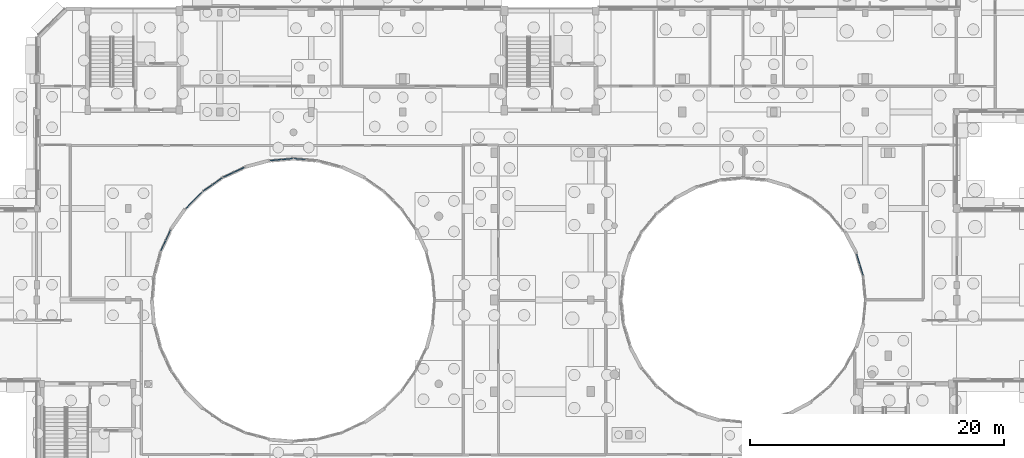
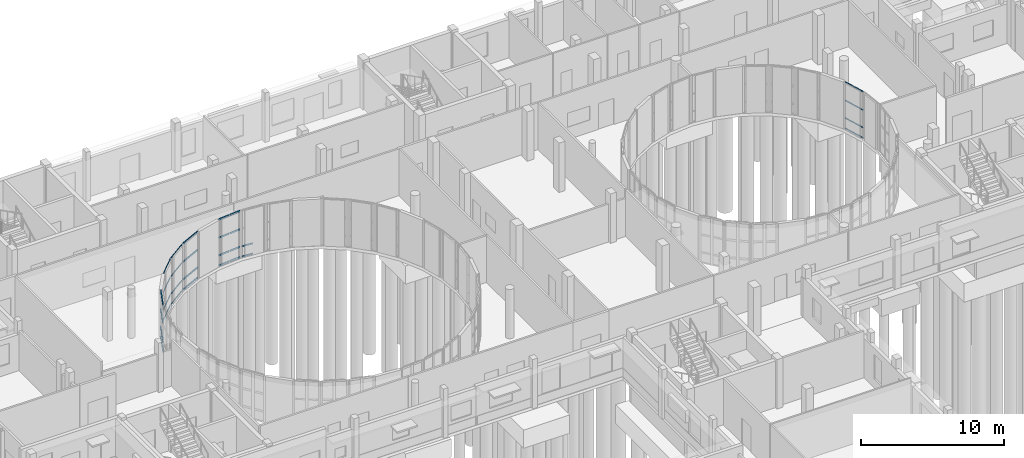
# One storey, part 44 of 93: 50 members, 7 elements without a shape of their own.
"""IFC4 building model written with IfcOpenShell, lengths in metres."""

from ifc_helpers import new_model, si_unit, direction, frame, origin, origin_2d, place, context, subcontext, project, spatial, hollow_rectangle, extrude, material, layer, layer_set, material_profile, profile_set, type_object, element, aggregate, save


model = new_model("IFC4")

# Units and contexts
model_context = context("Model", 3, precision=1e-05, world=origin(), true_north=direction((0.0, 1.0)))
body_context = subcontext(model_context, "Body", "Model", "MODEL_VIEW")
ifc_project = project(units=[si_unit("LENGTHUNIT", "METRE"), si_unit("AREAUNIT", "SQUARE_METRE"), si_unit("VOLUMEUNIT", "CUBIC_METRE"), si_unit("PLANEANGLEUNIT", "RADIAN"), si_unit("MASSUNIT", "GRAM", prefix="KILO")], contexts=[model_context])

# Site, building, storey
site_placement = place(None, origin())
site = spatial("IfcSite", under=ifc_project, at=site_placement, CompositionType="ELEMENT")
building_placement = place(site_placement, origin())
building = spatial("IfcBuilding", under=site, at=building_placement, Name="Kelanivale Promenade Academy", CompositionType="ELEMENT")
storey_placement = place(building_placement, origin())
storey = spatial("IfcBuildingStorey", under=building, at=storey_placement, Name="L00", CompositionType="ELEMENT", Elevation=0.0)

# Curtain wall, members
ifc_material_1 = material(Name="Bronze anodised aluminium and solar-control low-E glass", Category="aluminium")
ifc_layer_1 = layer(ifc_material_1, 0.169921875)
ifc_layer_set_1 = layer_set([ifc_layer_1], Name="Bronze anodised aluminium and solar-control low-E glass")
curtain_wall_type_1 = type_object("IfcCurtainWallType", Name="CW-01 Curtain Wall 1350mm Module", PredefinedType="USERDEFINED", material=ifc_layer_set_1)
curtain_wall_1_placement = place(storey_placement, origin())
curtain_wall_1 = element("IfcCurtainWall", 1, at=curtain_wall_1_placement, inside=storey, type_object=curtain_wall_type_1, Name="L00 courtyard curtain wall CW-01", ObjectType="UNITISED GLAZING", PredefinedType="USERDEFINED")
ifc_material_2 = material(Name="Bronze anodised aluminium EN AW-6063 T6", Category="aluminium")
ifc_material_profile_1 = material_profile(ifc_material_2, hollow_rectangle(XDim=0.050048828125, YDim=0.10009765625, WallThickness=0.0029296875, at=origin_2d()), Name="ALU 50x100x3.0")
ifc_profile_set_1 = profile_set([ifc_material_profile_1], Name="Bronze anodised aluminium EN AW-6063 T6")
member_type_1 = type_object("IfcMemberType", Name="CWT-01 ALU 50x100x3.0", PredefinedType="USERDEFINED", material=ifc_profile_set_1)
member_1_placement = place(storey_placement, frame((108.233642578125, 58.75146484375, 0.02490234375), z_axis=(-0.2901943181, 0.956967741223, 0.0), x_axis=(-0.956967741223, -0.2901943181, 0.0)))
member_1 = element("IfcMember", 2, at=member_1_placement, type_object=member_type_1, Name="CW-01 transom 1.1", ObjectType="TRANSOM", PredefinedType="USERDEFINED", context=body_context, shape_type="SweptSolid", body=[
    extrude(hollow_rectangle(XDim=0.050048828125, YDim=0.10009765625, WallThickness=0.0029296875, at=origin_2d()), origin(), (0.0, 0.0, 1.0), 0.833740234375),
])
member_2_placement = place(storey_placement, frame((108.233642578125, 58.75146484375, 0.89990234375), z_axis=(-0.2901943181, 0.956967741223, 0.0), x_axis=(-0.956967741223, -0.2901943181, 0.0)))
member_2 = element("IfcMember", 3, at=member_2_placement, type_object=member_type_1, Name="CW-01 transom 1.2", ObjectType="TRANSOM", PredefinedType="USERDEFINED", context=body_context, shape_type="SweptSolid", body=[
    extrude(hollow_rectangle(XDim=0.050048828125, YDim=0.10009765625, WallThickness=0.0029296875, at=origin_2d()), origin(), (0.0, 0.0, 1.0), 0.833740234375),
])
member_3_placement = place(storey_placement, frame((108.233642578125, 58.75146484375, 2.39990234375), z_axis=(-0.2901943181, 0.956967741223, 0.0), x_axis=(-0.956967741223, -0.2901943181, 0.0)))
member_3 = element("IfcMember", 4, at=member_3_placement, type_object=member_type_1, Name="CW-01 transom 1.3", ObjectType="TRANSOM", PredefinedType="USERDEFINED", context=body_context, shape_type="SweptSolid", body=[
    extrude(hollow_rectangle(XDim=0.050048828125, YDim=0.10009765625, WallThickness=0.0029296875, at=origin_2d()), origin(), (0.0, 0.0, 1.0), 0.833740234375),
])
member_4_placement = place(storey_placement, frame((108.233642578125, 58.75146484375, 3.955078125), z_axis=(-0.2901943181, 0.956967741223, 0.0), x_axis=(-0.956967741223, -0.2901943181, 0.0)))
member_4 = element("IfcMember", 5, at=member_4_placement, type_object=member_type_1, Name="CW-01 transom 1.4", ObjectType="TRANSOM", PredefinedType="USERDEFINED", context=body_context, shape_type="SweptSolid", body=[
    extrude(hollow_rectangle(XDim=0.050048828125, YDim=0.10009765625, WallThickness=0.0029296875, at=origin_2d()), origin(), (0.0, 0.0, 1.0), 0.833740234375),
])
member_5_placement = place(storey_placement, frame((107.974365234375, 59.606689453125, 0.02490234375), z_axis=(-0.2901943181, 0.956967741223, 0.0), x_axis=(-0.956967741223, -0.2901943181, 0.0)))
member_5 = element("IfcMember", 6, at=member_5_placement, type_object=member_type_1, Name="CW-01 transom 2.1", ObjectType="TRANSOM", PredefinedType="USERDEFINED", context=body_context, shape_type="SweptSolid", body=[
    extrude(hollow_rectangle(XDim=0.050048828125, YDim=0.10009765625, WallThickness=0.0029296875, at=origin_2d()), origin(), (0.0, 0.0, 1.0), 0.833740234375),
])
member_6_placement = place(storey_placement, frame((107.974365234375, 59.606689453125, 0.89990234375), z_axis=(-0.2901943181, 0.956967741223, 0.0), x_axis=(-0.956967741223, -0.2901943181, 0.0)))
member_6 = element("IfcMember", 7, at=member_6_placement, type_object=member_type_1, Name="CW-01 transom 2.2", ObjectType="TRANSOM", PredefinedType="USERDEFINED", context=body_context, shape_type="SweptSolid", body=[
    extrude(hollow_rectangle(XDim=0.050048828125, YDim=0.10009765625, WallThickness=0.0029296875, at=origin_2d()), origin(), (0.0, 0.0, 1.0), 0.833740234375),
])
member_7_placement = place(storey_placement, frame((107.974365234375, 59.606689453125, 2.39990234375), z_axis=(-0.2901943181, 0.956967741223, 0.0), x_axis=(-0.956967741223, -0.2901943181, 0.0)))
member_7 = element("IfcMember", 8, at=member_7_placement, type_object=member_type_1, Name="CW-01 transom 2.3", ObjectType="TRANSOM", PredefinedType="USERDEFINED", context=body_context, shape_type="SweptSolid", body=[
    extrude(hollow_rectangle(XDim=0.050048828125, YDim=0.10009765625, WallThickness=0.0029296875, at=origin_2d()), origin(), (0.0, 0.0, 1.0), 0.833740234375),
])
member_8_placement = place(storey_placement, frame((107.974365234375, 59.606689453125, 3.955078125), z_axis=(-0.2901943181, 0.956967741223, 0.0), x_axis=(-0.956967741223, -0.2901943181, 0.0)))
member_8 = element("IfcMember", 9, at=member_8_placement, type_object=member_type_1, Name="CW-01 transom 2.4", ObjectType="TRANSOM", PredefinedType="USERDEFINED", context=body_context, shape_type="SweptSolid", body=[
    extrude(hollow_rectangle(XDim=0.050048828125, YDim=0.10009765625, WallThickness=0.0029296875, at=origin_2d()), origin(), (0.0, 0.0, 1.0), 0.833740234375),
])
aggregate(curtain_wall_1, [member_1, member_2, member_3, member_4, member_5, member_6, member_7, member_8])

ifc_layer_2 = layer(ifc_material_1, 0.159912109375)
ifc_layer_set_2 = layer_set([ifc_layer_2], Name="Bronze anodised aluminium and solar-control low-E glass")
curtain_wall_type_2 = type_object("IfcCurtainWallType", Name="CW-09 Curtain Wall 1650mm Module", PredefinedType="USERDEFINED", material=ifc_layer_set_2)
curtain_wall_2_placement = place(storey_placement, origin())
curtain_wall_2 = element("IfcCurtainWall", 10, at=curtain_wall_2_placement, inside=storey, type_object=curtain_wall_type_2, Name="L00 courtyard curtain wall CW-09", ObjectType="UNITISED GLAZING", PredefinedType="USERDEFINED")
member_9_placement = place(storey_placement, frame((57.770751953125, 66.406494140625, 0.02490234375), z_axis=(-0.819165904278, -0.573556641726, 0.0), x_axis=(0.573556641726, -0.819165904278, 0.0)))
member_9 = element("IfcMember", 11, at=member_9_placement, type_object=member_type_1, Name="CW-09 transom 1.1", ObjectType="TRANSOM", PredefinedType="USERDEFINED", context=body_context, shape_type="SweptSolid", body=[
    extrude(hollow_rectangle(XDim=0.050048828125, YDim=0.10009765625, WallThickness=0.0029296875, at=origin_2d()), origin(), (0.0, 0.0, 1.0), 0.86865234375),
])
member_10_placement = place(storey_placement, frame((57.770751953125, 66.406494140625, 0.89990234375), z_axis=(-0.819165904278, -0.573556641726, 0.0), x_axis=(0.573556641726, -0.819165904278, 0.0)))
member_10 = element("IfcMember", 12, at=member_10_placement, type_object=member_type_1, Name="CW-09 transom 1.2", ObjectType="TRANSOM", PredefinedType="USERDEFINED", context=body_context, shape_type="SweptSolid", body=[
    extrude(hollow_rectangle(XDim=0.050048828125, YDim=0.10009765625, WallThickness=0.0029296875, at=origin_2d()), origin(), (0.0, 0.0, 1.0), 0.86865234375),
])
member_11_placement = place(storey_placement, frame((57.770751953125, 66.406494140625, 2.39990234375), z_axis=(-0.819165904278, -0.573556641726, 0.0), x_axis=(0.573556641726, -0.819165904278, 0.0)))
member_11 = element("IfcMember", 13, at=member_11_placement, type_object=member_type_1, Name="CW-09 transom 1.3", ObjectType="TRANSOM", PredefinedType="USERDEFINED", context=body_context, shape_type="SweptSolid", body=[
    extrude(hollow_rectangle(XDim=0.050048828125, YDim=0.10009765625, WallThickness=0.0029296875, at=origin_2d()), origin(), (0.0, 0.0, 1.0), 0.86865234375),
])
member_12_placement = place(storey_placement, frame((57.770751953125, 66.406494140625, 3.955078125), z_axis=(-0.819165904278, -0.573556641726, 0.0), x_axis=(0.573556641726, -0.819165904278, 0.0)))
member_12 = element("IfcMember", 14, at=member_12_placement, type_object=member_type_1, Name="CW-09 transom 1.4", ObjectType="TRANSOM", PredefinedType="USERDEFINED", context=body_context, shape_type="SweptSolid", body=[
    extrude(hollow_rectangle(XDim=0.050048828125, YDim=0.10009765625, WallThickness=0.0029296875, at=origin_2d()), origin(), (0.0, 0.0, 1.0), 0.86865234375),
])
member_13_placement = place(storey_placement, frame((57.010009765625, 65.873779296875, 0.02490234375), z_axis=(-0.819258317899, -0.573424631973, 0.0), x_axis=(0.573424631973, -0.819258317899, 0.0)))
member_13 = element("IfcMember", 15, at=member_13_placement, type_object=member_type_1, Name="CW-09 transom 2.1", ObjectType="TRANSOM", PredefinedType="USERDEFINED", context=body_context, shape_type="SweptSolid", body=[
    extrude(hollow_rectangle(XDim=0.050048828125, YDim=0.10009765625, WallThickness=0.0029296875, at=origin_2d()), origin(), (0.0, 0.0, 1.0), 0.868896484375),
])
member_14_placement = place(storey_placement, frame((57.010009765625, 65.873779296875, 0.89990234375), z_axis=(-0.819258317899, -0.573424631973, 0.0), x_axis=(0.573424631973, -0.819258317899, 0.0)))
member_14 = element("IfcMember", 16, at=member_14_placement, type_object=member_type_1, Name="CW-09 transom 2.2", ObjectType="TRANSOM", PredefinedType="USERDEFINED", context=body_context, shape_type="SweptSolid", body=[
    extrude(hollow_rectangle(XDim=0.050048828125, YDim=0.10009765625, WallThickness=0.0029296875, at=origin_2d()), origin(), (0.0, 0.0, 1.0), 0.868896484375),
])
member_15_placement = place(storey_placement, frame((57.010009765625, 65.873779296875, 2.39990234375), z_axis=(-0.819258317899, -0.573424631973, 0.0), x_axis=(0.573424631973, -0.819258317899, 0.0)))
member_15 = element("IfcMember", 17, at=member_15_placement, type_object=member_type_1, Name="CW-09 transom 2.3", ObjectType="TRANSOM", PredefinedType="USERDEFINED", context=body_context, shape_type="SweptSolid", body=[
    extrude(hollow_rectangle(XDim=0.050048828125, YDim=0.10009765625, WallThickness=0.0029296875, at=origin_2d()), origin(), (0.0, 0.0, 1.0), 0.868896484375),
])
member_16_placement = place(storey_placement, frame((57.010009765625, 65.873779296875, 3.955078125), z_axis=(-0.819258317899, -0.573424631973, 0.0), x_axis=(0.573424631973, -0.819258317899, 0.0)))
member_16 = element("IfcMember", 18, at=member_16_placement, type_object=member_type_1, Name="CW-09 transom 2.4", ObjectType="TRANSOM", PredefinedType="USERDEFINED", context=body_context, shape_type="SweptSolid", body=[
    extrude(hollow_rectangle(XDim=0.050048828125, YDim=0.10009765625, WallThickness=0.0029296875, at=origin_2d()), origin(), (0.0, 0.0, 1.0), 0.868896484375),
])
aggregate(curtain_wall_2, [member_9, member_10, member_11, member_12, member_13, member_14, member_15, member_16])

ifc_layer_3 = layer(ifc_material_1, 0.159912109375)
ifc_layer_set_3 = layer_set([ifc_layer_3], Name="Bronze anodised aluminium and solar-control low-E glass")
curtain_wall_type_3 = type_object("IfcCurtainWallType", Name="CW-06 Curtain Wall 1200mm Module", PredefinedType="USERDEFINED", material=ifc_layer_set_3)
curtain_wall_3_placement = place(storey_placement, origin())
curtain_wall_3 = element("IfcCurtainWall", 19, at=curtain_wall_3_placement, inside=storey, type_object=curtain_wall_type_3, Name="L00 courtyard curtain wall CW-06", ObjectType="UNITISED GLAZING", PredefinedType="USERDEFINED")
ifc_material_profile_2 = material_profile(ifc_material_2, hollow_rectangle(XDim=0.050048828125, YDim=0.1201171875, WallThickness=0.0029296875, at=origin_2d()), Name="ALU 50x120x3.0")
ifc_profile_set_2 = profile_set([ifc_material_profile_2], Name="Bronze anodised aluminium EN AW-6063 T6")
member_type_2 = type_object("IfcMemberType", Name="CWT-02 ALU 50x120x3.0", PredefinedType="USERDEFINED", material=ifc_profile_set_2)
member_17_placement = place(storey_placement, frame((64.337158203125, 67.858154296875, 0.02490234375), z_axis=(-0.996198291496, 0.087114660187, 0.0), x_axis=(-0.087114660187, -0.996198291496, 0.0)))
member_17 = element("IfcMember", 20, at=member_17_placement, type_object=member_type_2, Name="CW-06 transom 2.1", ObjectType="TRANSOM", PredefinedType="USERDEFINED", context=body_context, shape_type="SweptSolid", body=[
    extrude(hollow_rectangle(XDim=0.050048828125, YDim=0.1201171875, WallThickness=0.0029296875, at=origin_2d()), origin(), (0.0, 0.0, 1.0), 0.868896484375),
])
member_18_placement = place(storey_placement, frame((64.337158203125, 67.858154296875, 0.89990234375), z_axis=(-0.996198291496, 0.087114660187, 0.0), x_axis=(-0.087114660187, -0.996198291496, 0.0)))
member_18 = element("IfcMember", 21, at=member_18_placement, type_object=member_type_2, Name="CW-06 transom 2.2", ObjectType="TRANSOM", PredefinedType="USERDEFINED", context=body_context, shape_type="SweptSolid", body=[
    extrude(hollow_rectangle(XDim=0.050048828125, YDim=0.1201171875, WallThickness=0.0029296875, at=origin_2d()), origin(), (0.0, 0.0, 1.0), 0.868896484375),
])
aggregate(curtain_wall_3, [member_17, member_18])

ifc_layer_4 = layer(ifc_material_1, 0.169921875)
ifc_layer_set_4 = layer_set([ifc_layer_4], Name="Bronze anodised aluminium and solar-control low-E glass")
curtain_wall_type_4 = type_object("IfcCurtainWallType", Name="CW-10 Curtain Wall 1800mm Module", PredefinedType="USERDEFINED", material=ifc_layer_set_4)
curtain_wall_4_placement = place(storey_placement, origin())
curtain_wall_4 = element("IfcCurtainWall", 22, at=curtain_wall_4_placement, inside=storey, type_object=curtain_wall_type_4, Name="L00 courtyard curtain wall CW-10", ObjectType="UNITISED GLAZING", PredefinedType="USERDEFINED")
member_19_placement = place(storey_placement, frame((56.1875, 65.282470703125, 0.02490234375), z_axis=(-0.707248670774, -0.706964863121, 0.0), x_axis=(0.706964863121, -0.707248670774, 0.0)))
member_19 = element("IfcMember", 23, at=member_19_placement, type_object=member_type_2, Name="CW-10 transom 1.1", ObjectType="TRANSOM", PredefinedType="USERDEFINED", context=body_context, shape_type="SweptSolid", body=[
    extrude(hollow_rectangle(XDim=0.050048828125, YDim=0.1201171875, WallThickness=0.0029296875, at=origin_2d()), origin(), (0.0, 0.0, 1.0), 0.8603515625),
])
member_20_placement = place(storey_placement, frame((56.1875, 65.282470703125, 0.89990234375), z_axis=(-0.707248670774, -0.706964863121, 0.0), x_axis=(0.706964863121, -0.707248670774, 0.0)))
member_20 = element("IfcMember", 24, at=member_20_placement, type_object=member_type_2, Name="CW-10 transom 1.2", ObjectType="TRANSOM", PredefinedType="USERDEFINED", context=body_context, shape_type="SweptSolid", body=[
    extrude(hollow_rectangle(XDim=0.050048828125, YDim=0.1201171875, WallThickness=0.0029296875, at=origin_2d()), origin(), (0.0, 0.0, 1.0), 0.8603515625),
])
member_21_placement = place(storey_placement, frame((56.1875, 65.282470703125, 2.39990234375), z_axis=(-0.707248670774, -0.706964863121, 0.0), x_axis=(0.706964863121, -0.707248670774, 0.0)))
member_21 = element("IfcMember", 25, at=member_21_placement, type_object=member_type_2, Name="CW-10 transom 1.3", ObjectType="TRANSOM", PredefinedType="USERDEFINED", context=body_context, shape_type="SweptSolid", body=[
    extrude(hollow_rectangle(XDim=0.050048828125, YDim=0.1201171875, WallThickness=0.0029296875, at=origin_2d()), origin(), (0.0, 0.0, 1.0), 0.8603515625),
])
member_22_placement = place(storey_placement, frame((56.1875, 65.282470703125, 3.955078125), z_axis=(-0.707248670774, -0.706964863121, 0.0), x_axis=(0.706964863121, -0.707248670774, 0.0)))
member_22 = element("IfcMember", 26, at=member_22_placement, type_object=member_type_2, Name="CW-10 transom 1.4", ObjectType="TRANSOM", PredefinedType="USERDEFINED", context=body_context, shape_type="SweptSolid", body=[
    extrude(hollow_rectangle(XDim=0.050048828125, YDim=0.1201171875, WallThickness=0.0029296875, at=origin_2d()), origin(), (0.0, 0.0, 1.0), 0.8603515625),
])
member_23_placement = place(storey_placement, frame((55.536865234375, 64.6318359375, 0.02490234375), z_axis=(-0.707106781187, -0.707106781187, 0.0), x_axis=(0.707106781187, -0.707106781187, 0.0)))
member_23 = element("IfcMember", 27, at=member_23_placement, type_object=member_type_2, Name="CW-10 transom 2.1", ObjectType="TRANSOM", PredefinedType="USERDEFINED", context=body_context, shape_type="SweptSolid", body=[
    extrude(hollow_rectangle(XDim=0.050048828125, YDim=0.1201171875, WallThickness=0.0029296875, at=origin_2d()), origin(), (0.0, 0.0, 1.0), 0.8603515625),
])
member_24_placement = place(storey_placement, frame((55.536865234375, 64.6318359375, 0.89990234375), z_axis=(-0.707106781187, -0.707106781187, 0.0), x_axis=(0.707106781187, -0.707106781187, 0.0)))
member_24 = element("IfcMember", 28, at=member_24_placement, type_object=member_type_2, Name="CW-10 transom 2.2", ObjectType="TRANSOM", PredefinedType="USERDEFINED", context=body_context, shape_type="SweptSolid", body=[
    extrude(hollow_rectangle(XDim=0.050048828125, YDim=0.1201171875, WallThickness=0.0029296875, at=origin_2d()), origin(), (0.0, 0.0, 1.0), 0.8603515625),
])
member_25_placement = place(storey_placement, frame((55.536865234375, 64.6318359375, 2.39990234375), z_axis=(-0.707106781187, -0.707106781187, 0.0), x_axis=(0.707106781187, -0.707106781187, 0.0)))
member_25 = element("IfcMember", 29, at=member_25_placement, type_object=member_type_2, Name="CW-10 transom 2.3", ObjectType="TRANSOM", PredefinedType="USERDEFINED", context=body_context, shape_type="SweptSolid", body=[
    extrude(hollow_rectangle(XDim=0.050048828125, YDim=0.1201171875, WallThickness=0.0029296875, at=origin_2d()), origin(), (0.0, 0.0, 1.0), 0.8603515625),
])
member_26_placement = place(storey_placement, frame((55.536865234375, 64.6318359375, 3.955078125), z_axis=(-0.707106781187, -0.707106781187, 0.0), x_axis=(0.707106781187, -0.707106781187, 0.0)))
member_26 = element("IfcMember", 30, at=member_26_placement, type_object=member_type_2, Name="CW-10 transom 2.4", ObjectType="TRANSOM", PredefinedType="USERDEFINED", context=body_context, shape_type="SweptSolid", body=[
    extrude(hollow_rectangle(XDim=0.050048828125, YDim=0.1201171875, WallThickness=0.0029296875, at=origin_2d()), origin(), (0.0, 0.0, 1.0), 0.8603515625),
])
aggregate(curtain_wall_4, [member_19, member_20, member_21, member_22, member_23, member_24, member_25, member_26])

ifc_layer_5 = layer(ifc_material_1, 0.169921875)
ifc_layer_set_5 = layer_set([ifc_layer_5], Name="Bronze anodised aluminium and solar-control low-E glass")
curtain_wall_type_5 = type_object("IfcCurtainWallType", Name="CW-07 Curtain Wall 1350mm Module", PredefinedType="USERDEFINED", material=ifc_layer_set_5)
curtain_wall_5_placement = place(storey_placement, origin())
curtain_wall_5 = element("IfcCurtainWall", 31, at=curtain_wall_5_placement, inside=storey, type_object=curtain_wall_type_5, Name="L00 courtyard curtain wall CW-07", ObjectType="UNITISED GLAZING", PredefinedType="USERDEFINED")
ifc_material_profile_3 = material_profile(ifc_material_2, hollow_rectangle(XDim=0.050048828125, YDim=0.14990234375, WallThickness=0.00341796875, at=origin_2d()), Name="ALU 50x150x3.5")
ifc_profile_set_3 = profile_set([ifc_material_profile_3], Name="Bronze anodised aluminium EN AW-6063 T6")
member_type_3 = type_object("IfcMemberType", Name="CWT-03 ALU 50x150x3.5", PredefinedType="USERDEFINED", material=ifc_profile_set_3)
member_27_placement = place(storey_placement, frame((63.3232421875, 67.933349609375, 0.02490234375), z_axis=(-0.996187816641, -0.087234362353, 0.0), x_axis=(0.087234362353, -0.996187816641, 0.0)))
member_27 = element("IfcMember", 32, at=member_27_placement, type_object=member_type_3, Name="CW-07 transom 1.1", ObjectType="TRANSOM", PredefinedType="USERDEFINED", context=body_context, shape_type="SweptSolid", body=[
    extrude(hollow_rectangle(XDim=0.050048828125, YDim=0.14990234375, WallThickness=0.00341796875, at=origin_2d()), origin(), (0.0, 0.0, 1.0), 0.853515625),
])
member_28_placement = place(storey_placement, frame((63.3232421875, 67.933349609375, 0.89990234375), z_axis=(-0.996187816641, -0.087234362353, 0.0), x_axis=(0.087234362353, -0.996187816641, 0.0)))
member_28 = element("IfcMember", 33, at=member_28_placement, type_object=member_type_3, Name="CW-07 transom 1.2", ObjectType="TRANSOM", PredefinedType="USERDEFINED", context=body_context, shape_type="SweptSolid", body=[
    extrude(hollow_rectangle(XDim=0.050048828125, YDim=0.14990234375, WallThickness=0.00341796875, at=origin_2d()), origin(), (0.0, 0.0, 1.0), 0.853515625),
])
member_29_placement = place(storey_placement, frame((63.3232421875, 67.933349609375, 2.39990234375), z_axis=(-0.996187816641, -0.087234362353, 0.0), x_axis=(0.087234362353, -0.996187816641, 0.0)))
member_29 = element("IfcMember", 34, at=member_29_placement, type_object=member_type_3, Name="CW-07 transom 1.3", ObjectType="TRANSOM", PredefinedType="USERDEFINED", context=body_context, shape_type="SweptSolid", body=[
    extrude(hollow_rectangle(XDim=0.050048828125, YDim=0.14990234375, WallThickness=0.00341796875, at=origin_2d()), origin(), (0.0, 0.0, 1.0), 0.853515625),
])
member_30_placement = place(storey_placement, frame((63.3232421875, 67.933349609375, 3.955078125), z_axis=(-0.996187816641, -0.087234362353, 0.0), x_axis=(0.087234362353, -0.996187816641, 0.0)))
member_30 = element("IfcMember", 35, at=member_30_placement, type_object=member_type_3, Name="CW-07 transom 1.4", ObjectType="TRANSOM", PredefinedType="USERDEFINED", context=body_context, shape_type="SweptSolid", body=[
    extrude(hollow_rectangle(XDim=0.050048828125, YDim=0.14990234375, WallThickness=0.00341796875, at=origin_2d()), origin(), (0.0, 0.0, 1.0), 0.853515625),
])
member_31_placement = place(storey_placement, frame((62.408203125, 67.853271484375, 0.02490234375), z_axis=(-0.996162921668, -0.087518189501, 0.0), x_axis=(0.087518189501, -0.996162921668, 0.0)))
member_31 = element("IfcMember", 36, at=member_31_placement, type_object=member_type_3, Name="CW-07 transom 2.1", ObjectType="TRANSOM", PredefinedType="USERDEFINED", context=body_context, shape_type="SweptSolid", body=[
    extrude(hollow_rectangle(XDim=0.050048828125, YDim=0.14990234375, WallThickness=0.00341796875, at=origin_2d()), origin(), (0.0, 0.0, 1.0), 0.853515625),
])
member_32_placement = place(storey_placement, frame((62.408203125, 67.853271484375, 0.89990234375), z_axis=(-0.996162921668, -0.087518189501, 0.0), x_axis=(0.087518189501, -0.996162921668, 0.0)))
member_32 = element("IfcMember", 37, at=member_32_placement, type_object=member_type_3, Name="CW-07 transom 2.2", ObjectType="TRANSOM", PredefinedType="USERDEFINED", context=body_context, shape_type="SweptSolid", body=[
    extrude(hollow_rectangle(XDim=0.050048828125, YDim=0.14990234375, WallThickness=0.00341796875, at=origin_2d()), origin(), (0.0, 0.0, 1.0), 0.853515625),
])
member_33_placement = place(storey_placement, frame((62.408203125, 67.853271484375, 2.39990234375), z_axis=(-0.996162921668, -0.087518189501, 0.0), x_axis=(0.087518189501, -0.996162921668, 0.0)))
member_33 = element("IfcMember", 38, at=member_33_placement, type_object=member_type_3, Name="CW-07 transom 2.3", ObjectType="TRANSOM", PredefinedType="USERDEFINED", context=body_context, shape_type="SweptSolid", body=[
    extrude(hollow_rectangle(XDim=0.050048828125, YDim=0.14990234375, WallThickness=0.00341796875, at=origin_2d()), origin(), (0.0, 0.0, 1.0), 0.853515625),
])
member_34_placement = place(storey_placement, frame((62.408203125, 67.853271484375, 3.955078125), z_axis=(-0.996162921668, -0.087518189501, 0.0), x_axis=(0.087518189501, -0.996162921668, 0.0)))
member_34 = element("IfcMember", 39, at=member_34_placement, type_object=member_type_3, Name="CW-07 transom 2.4", ObjectType="TRANSOM", PredefinedType="USERDEFINED", context=body_context, shape_type="SweptSolid", body=[
    extrude(hollow_rectangle(XDim=0.050048828125, YDim=0.14990234375, WallThickness=0.00341796875, at=origin_2d()), origin(), (0.0, 0.0, 1.0), 0.853515625),
])
aggregate(curtain_wall_5, [member_27, member_28, member_29, member_30, member_31, member_32, member_33, member_34])

ifc_layer_6 = layer(ifc_material_1, 0.179931640625)
ifc_layer_set_6 = layer_set([ifc_layer_6], Name="Bronze anodised aluminium and solar-control low-E glass")
curtain_wall_type_6 = type_object("IfcCurtainWallType", Name="CW-11 Curtain Wall 1950mm Module", PredefinedType="USERDEFINED", material=ifc_layer_set_6)
curtain_wall_6_placement = place(storey_placement, origin())
curtain_wall_6 = element("IfcCurtainWall", 40, at=curtain_wall_6_placement, inside=storey, type_object=curtain_wall_type_6, Name="L00 courtyard curtain wall CW-11", ObjectType="UNITISED GLAZING", PredefinedType="USERDEFINED")
member_35_placement = place(storey_placement, frame((53.71337890625, 62.2861328125, 0.02490234375), z_axis=(-0.42291677323, -0.906168528984, 0.0), x_axis=(0.906168528984, -0.42291677323, 0.0)))
member_35 = element("IfcMember", 41, at=member_35_placement, type_object=member_type_3, Name="CW-11 transom 1.1", ObjectType="TRANSOM", PredefinedType="USERDEFINED", context=body_context, shape_type="SweptSolid", body=[
    extrude(hollow_rectangle(XDim=0.050048828125, YDim=0.14990234375, WallThickness=0.00341796875, at=origin_2d()), origin(), (0.0, 0.0, 1.0), 0.853759765625),
])
member_36_placement = place(storey_placement, frame((53.71337890625, 62.2861328125, 0.89990234375), z_axis=(-0.42291677323, -0.906168528984, 0.0), x_axis=(0.906168528984, -0.42291677323, 0.0)))
member_36 = element("IfcMember", 42, at=member_36_placement, type_object=member_type_3, Name="CW-11 transom 1.2", ObjectType="TRANSOM", PredefinedType="USERDEFINED", context=body_context, shape_type="SweptSolid", body=[
    extrude(hollow_rectangle(XDim=0.050048828125, YDim=0.14990234375, WallThickness=0.00341796875, at=origin_2d()), origin(), (0.0, 0.0, 1.0), 0.853759765625),
])
member_37_placement = place(storey_placement, frame((53.71337890625, 62.2861328125, 2.39990234375), z_axis=(-0.42291677323, -0.906168528984, 0.0), x_axis=(0.906168528984, -0.42291677323, 0.0)))
member_37 = element("IfcMember", 43, at=member_37_placement, type_object=member_type_3, Name="CW-11 transom 1.3", ObjectType="TRANSOM", PredefinedType="USERDEFINED", context=body_context, shape_type="SweptSolid", body=[
    extrude(hollow_rectangle(XDim=0.050048828125, YDim=0.14990234375, WallThickness=0.00341796875, at=origin_2d()), origin(), (0.0, 0.0, 1.0), 0.853759765625),
])
member_38_placement = place(storey_placement, frame((53.71337890625, 62.2861328125, 3.955078125), z_axis=(-0.42291677323, -0.906168528984, 0.0), x_axis=(0.906168528984, -0.42291677323, 0.0)))
member_38 = element("IfcMember", 44, at=member_38_placement, type_object=member_type_3, Name="CW-11 transom 1.4", ObjectType="TRANSOM", PredefinedType="USERDEFINED", context=body_context, shape_type="SweptSolid", body=[
    extrude(hollow_rectangle(XDim=0.050048828125, YDim=0.14990234375, WallThickness=0.00341796875, at=origin_2d()), origin(), (0.0, 0.0, 1.0), 0.853759765625),
])
member_39_placement = place(storey_placement, frame((53.32470703125, 61.45361328125, 0.02490234375), z_axis=(-0.423151534201, -0.906058926949, 0.0), x_axis=(0.906058926949, -0.423151534201, 0.0)))
member_39 = element("IfcMember", 45, at=member_39_placement, type_object=member_type_3, Name="CW-11 transom 2.1", ObjectType="TRANSOM", PredefinedType="USERDEFINED", context=body_context, shape_type="SweptSolid", body=[
    extrude(hollow_rectangle(XDim=0.050048828125, YDim=0.14990234375, WallThickness=0.00341796875, at=origin_2d()), origin(), (0.0, 0.0, 1.0), 0.85400390625),
])
member_40_placement = place(storey_placement, frame((53.32470703125, 61.45361328125, 0.89990234375), z_axis=(-0.423151534201, -0.906058926949, 0.0), x_axis=(0.906058926949, -0.423151534201, 0.0)))
member_40 = element("IfcMember", 46, at=member_40_placement, type_object=member_type_3, Name="CW-11 transom 2.2", ObjectType="TRANSOM", PredefinedType="USERDEFINED", context=body_context, shape_type="SweptSolid", body=[
    extrude(hollow_rectangle(XDim=0.050048828125, YDim=0.14990234375, WallThickness=0.00341796875, at=origin_2d()), origin(), (0.0, 0.0, 1.0), 0.85400390625),
])
member_41_placement = place(storey_placement, frame((53.32470703125, 61.45361328125, 2.39990234375), z_axis=(-0.423151534201, -0.906058926949, 0.0), x_axis=(0.906058926949, -0.423151534201, 0.0)))
member_41 = element("IfcMember", 47, at=member_41_placement, type_object=member_type_3, Name="CW-11 transom 2.3", ObjectType="TRANSOM", PredefinedType="USERDEFINED", context=body_context, shape_type="SweptSolid", body=[
    extrude(hollow_rectangle(XDim=0.050048828125, YDim=0.14990234375, WallThickness=0.00341796875, at=origin_2d()), origin(), (0.0, 0.0, 1.0), 0.85400390625),
])
member_42_placement = place(storey_placement, frame((53.32470703125, 61.45361328125, 3.955078125), z_axis=(-0.423151534201, -0.906058926949, 0.0), x_axis=(0.906058926949, -0.423151534201, 0.0)))
member_42 = element("IfcMember", 48, at=member_42_placement, type_object=member_type_3, Name="CW-11 transom 2.4", ObjectType="TRANSOM", PredefinedType="USERDEFINED", context=body_context, shape_type="SweptSolid", body=[
    extrude(hollow_rectangle(XDim=0.050048828125, YDim=0.14990234375, WallThickness=0.00341796875, at=origin_2d()), origin(), (0.0, 0.0, 1.0), 0.85400390625),
])
aggregate(curtain_wall_6, [member_35, member_36, member_37, member_38, member_39, member_40, member_41, member_42])

ifc_layer_7 = layer(ifc_material_1, 0.179931640625)
ifc_layer_set_7 = layer_set([ifc_layer_7], Name="Bronze anodised aluminium and solar-control low-E glass")
curtain_wall_type_7 = type_object("IfcCurtainWallType", Name="CW-08 Curtain Wall 1500mm Module", PredefinedType="USERDEFINED", material=ifc_layer_set_7)
curtain_wall_7_placement = place(storey_placement, origin())
curtain_wall_7 = element("IfcCurtainWall", 49, at=curtain_wall_7_placement, inside=storey, type_object=curtain_wall_type_7, Name="L00 courtyard curtain wall CW-08", ObjectType="UNITISED GLAZING", PredefinedType="USERDEFINED")
ifc_material_profile_4 = material_profile(ifc_material_2, hollow_rectangle(XDim=0.06005859375, YDim=0.139892578125, WallThickness=0.00341796875, at=origin_2d()), Name="ALU 60x140x3.5")
ifc_profile_set_4 = profile_set([ifc_material_profile_4], Name="Bronze anodised aluminium EN AW-6063 T6")
member_type_4 = type_object("IfcMemberType", Name="CWT-04 ALU 60x140x3.5", PredefinedType="USERDEFINED", material=ifc_profile_set_4)
member_43_placement = place(storey_placement, frame((59.506103515625, 67.23046875, 0.030029296875), z_axis=(-0.906058926949, -0.423151534201, 0.0), x_axis=(0.423151534201, -0.906058926949, 0.0)))
member_43 = element("IfcMember", 50, at=member_43_placement, type_object=member_type_4, Name="CW-08 transom 1.1", ObjectType="TRANSOM", PredefinedType="USERDEFINED", context=body_context, shape_type="SweptSolid", body=[
    extrude(hollow_rectangle(XDim=0.06005859375, YDim=0.139892578125, WallThickness=0.00341796875, at=origin_2d()), origin(), (0.0, 0.0, 1.0), 0.85400390625),
])
member_44_placement = place(storey_placement, frame((59.506103515625, 67.23046875, 0.89990234375), z_axis=(-0.906058926949, -0.423151534201, 0.0), x_axis=(0.423151534201, -0.906058926949, 0.0)))
member_44 = element("IfcMember", 51, at=member_44_placement, type_object=member_type_4, Name="CW-08 transom 1.2", ObjectType="TRANSOM", PredefinedType="USERDEFINED", context=body_context, shape_type="SweptSolid", body=[
    extrude(hollow_rectangle(XDim=0.06005859375, YDim=0.139892578125, WallThickness=0.00341796875, at=origin_2d()), origin(), (0.0, 0.0, 1.0), 0.85400390625),
])
member_45_placement = place(storey_placement, frame((59.506103515625, 67.23046875, 2.39990234375), z_axis=(-0.906058926949, -0.423151534201, 0.0), x_axis=(0.423151534201, -0.906058926949, 0.0)))
member_45 = element("IfcMember", 52, at=member_45_placement, type_object=member_type_4, Name="CW-08 transom 1.3", ObjectType="TRANSOM", PredefinedType="USERDEFINED", context=body_context, shape_type="SweptSolid", body=[
    extrude(hollow_rectangle(XDim=0.06005859375, YDim=0.139892578125, WallThickness=0.00341796875, at=origin_2d()), origin(), (0.0, 0.0, 1.0), 0.85400390625),
])
member_46_placement = place(storey_placement, frame((59.506103515625, 67.23046875, 3.949951171875), z_axis=(-0.906058926949, -0.423151534201, 0.0), x_axis=(0.423151534201, -0.906058926949, 0.0)))
member_46 = element("IfcMember", 53, at=member_46_placement, type_object=member_type_4, Name="CW-08 transom 1.4", ObjectType="TRANSOM", PredefinedType="USERDEFINED", context=body_context, shape_type="SweptSolid", body=[
    extrude(hollow_rectangle(XDim=0.06005859375, YDim=0.139892578125, WallThickness=0.00341796875, at=origin_2d()), origin(), (0.0, 0.0, 1.0), 0.85400390625),
])
member_47_placement = place(storey_placement, frame((58.673583984375, 66.841796875, 0.030029296875), z_axis=(-0.906058926949, -0.423151534201, 0.0), x_axis=(0.423151534201, -0.906058926949, 0.0)))
member_47 = element("IfcMember", 54, at=member_47_placement, type_object=member_type_4, Name="CW-08 transom 2.1", ObjectType="TRANSOM", PredefinedType="USERDEFINED", context=body_context, shape_type="SweptSolid", body=[
    extrude(hollow_rectangle(XDim=0.06005859375, YDim=0.139892578125, WallThickness=0.00341796875, at=origin_2d()), origin(), (0.0, 0.0, 1.0), 0.85400390625),
])
member_48_placement = place(storey_placement, frame((58.673583984375, 66.841796875, 0.89990234375), z_axis=(-0.906058926949, -0.423151534201, 0.0), x_axis=(0.423151534201, -0.906058926949, 0.0)))
member_48 = element("IfcMember", 55, at=member_48_placement, type_object=member_type_4, Name="CW-08 transom 2.2", ObjectType="TRANSOM", PredefinedType="USERDEFINED", context=body_context, shape_type="SweptSolid", body=[
    extrude(hollow_rectangle(XDim=0.06005859375, YDim=0.139892578125, WallThickness=0.00341796875, at=origin_2d()), origin(), (0.0, 0.0, 1.0), 0.85400390625),
])
member_49_placement = place(storey_placement, frame((58.673583984375, 66.841796875, 2.39990234375), z_axis=(-0.906058926949, -0.423151534201, 0.0), x_axis=(0.423151534201, -0.906058926949, 0.0)))
member_49 = element("IfcMember", 56, at=member_49_placement, type_object=member_type_4, Name="CW-08 transom 2.3", ObjectType="TRANSOM", PredefinedType="USERDEFINED", context=body_context, shape_type="SweptSolid", body=[
    extrude(hollow_rectangle(XDim=0.06005859375, YDim=0.139892578125, WallThickness=0.00341796875, at=origin_2d()), origin(), (0.0, 0.0, 1.0), 0.85400390625),
])
member_50_placement = place(storey_placement, frame((58.673583984375, 66.841796875, 3.949951171875), z_axis=(-0.906058926949, -0.423151534201, 0.0), x_axis=(0.423151534201, -0.906058926949, 0.0)))
member_50 = element("IfcMember", 57, at=member_50_placement, type_object=member_type_4, Name="CW-08 transom 2.4", ObjectType="TRANSOM", PredefinedType="USERDEFINED", context=body_context, shape_type="SweptSolid", body=[
    extrude(hollow_rectangle(XDim=0.06005859375, YDim=0.139892578125, WallThickness=0.00341796875, at=origin_2d()), origin(), (0.0, 0.0, 1.0), 0.85400390625),
])
aggregate(curtain_wall_7, [member_43, member_44, member_45, member_46, member_47, member_48, member_49, member_50])

save(model, "model.ifc")
